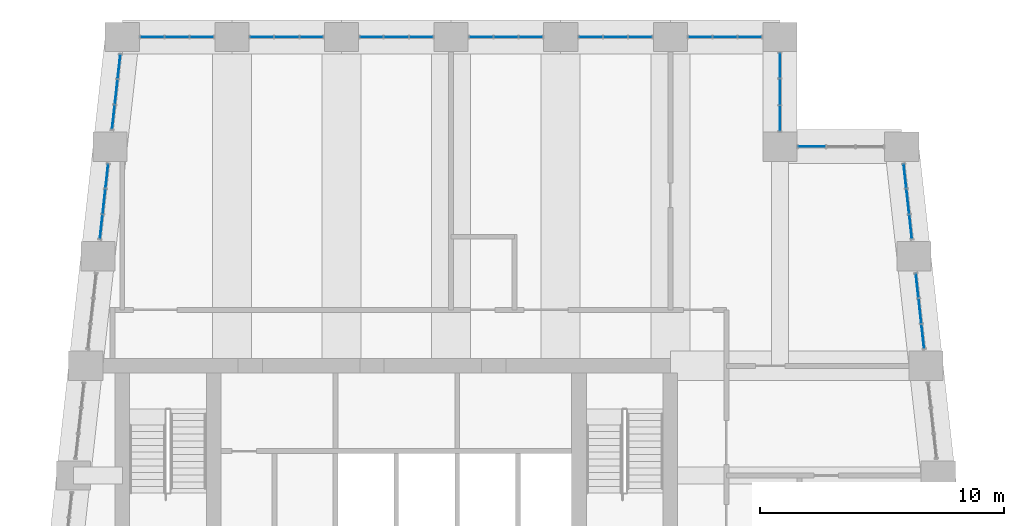
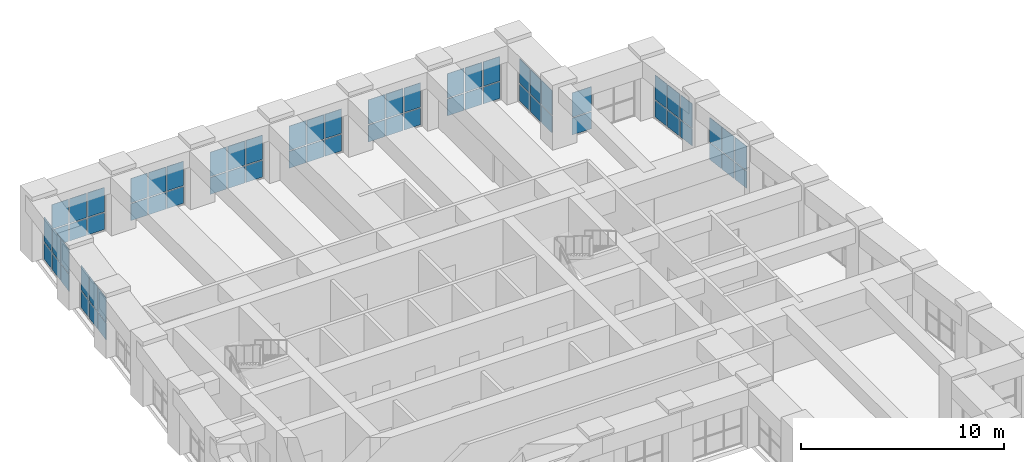
# One storey, part 14 of 18: 68 plates, 12 elements without a shape of their own.
"""IFC4 building model written with IfcOpenShell, lengths in metres."""

from ifc_helpers import new_model, si_unit, direction, frame, origin, origin_2d, place, context, subcontext, project, spatial, rectangle, extrude, material, layer, layer_set, type_object, element, aggregate, save


model = new_model("IFC4")

# Units and contexts
model_context = context("Model", 3, precision=1e-05, world=origin(), true_north=direction((0.0, 1.0)))
body_context = subcontext(model_context, "Body", "Model", "MODEL_VIEW")
ifc_project = project(units=[si_unit("LENGTHUNIT", "METRE"), si_unit("AREAUNIT", "SQUARE_METRE"), si_unit("VOLUMEUNIT", "CUBIC_METRE"), si_unit("PLANEANGLEUNIT", "RADIAN"), si_unit("MASSUNIT", "GRAM", prefix="KILO")], contexts=[model_context])

# Site, building, storey
site_placement = place(None, origin())
site = spatial("IfcSite", under=ifc_project, at=site_placement, CompositionType="ELEMENT")
building_placement = place(site_placement, origin())
building = spatial("IfcBuilding", under=site, at=building_placement, Name="Kilele Tower Hotel", CompositionType="ELEMENT")
storey_placement = place(building_placement, frame((0.0, 0.0, 281.89990234375)))
storey = spatial("IfcBuildingStorey", under=building, at=storey_placement, Name="L72", CompositionType="ELEMENT", Elevation=281.89990234375)

# Curtain wall, plates
ifc_material_1 = material(Name="Aluminium curtain wall, clear double glazing", Category="aluminium")
curtain_wall_type = type_object("IfcCurtainWallType", Name="Sky restaurant curtain wall CW-5", PredefinedType="NOTDEFINED", material=ifc_material_1)
curtain_wall_1_placement = place(storey_placement, origin())
curtain_wall_1 = element("IfcCurtainWall", 1, at=curtain_wall_1_placement, inside=storey, type_object=curtain_wall_type, Name="Sky restaurant curtain wall CW-5 L72", PredefinedType="NOTDEFINED")
ifc_material_2 = material(Name="Clear double glazing", Category="glass")
ifc_layer = layer(ifc_material_2, 0.028076171875)
ifc_layer_set = layer_set([ifc_layer], Name="Clear double glazing")
plate_type = type_object("IfcPlateType", Name="Glazed panel 28 CW-5", PredefinedType="CURTAIN_PANEL", material=ifc_layer_set)
plate_1_placement = place(storey_placement, frame((46.365478515625, 28.211181640625, 0.06005859375), z_axis=(0.0, 0.0, 1.0), x_axis=(-0.110431526007, 0.993883734681, 0.0)))
plate_1 = element("IfcPlate", 2, at=plate_1_placement, type_object=plate_type, Name="CW-5 panel 1.1", PredefinedType="CURTAIN_PANEL", context=body_context, shape_type="SweptSolid", body=[
    extrude(rectangle(XDim=0.97021484375, YDim=0.028076171875, at=origin_2d()), origin(), (0.0, 0.0, 1.0), 1.010009765625),
])
plate_2_placement = place(storey_placement, frame((46.365478515625, 28.211181640625, 1.130126953125), z_axis=(0.0, 0.0, 1.0), x_axis=(-0.110431526007, 0.993883734681, 0.0)))
plate_2 = element("IfcPlate", 3, at=plate_2_placement, type_object=plate_type, Name="CW-5 panel 1.2", PredefinedType="CURTAIN_PANEL", context=body_context, shape_type="SweptSolid", body=[
    extrude(rectangle(XDim=0.97021484375, YDim=0.028076171875, at=origin_2d()), origin(), (0.0, 0.0, 1.0), 1.4599609375),
])
plate_3_placement = place(storey_placement, frame((46.25, 29.25, 0.06005859375), z_axis=(0.0, 0.0, 1.0), x_axis=(-0.110431526007, 0.993883734681, 0.0)))
plate_3 = element("IfcPlate", 4, at=plate_3_placement, type_object=plate_type, Name="CW-5 panel 2.1", PredefinedType="CURTAIN_PANEL", context=body_context, shape_type="SweptSolid", body=[
    extrude(rectangle(XDim=1.000244140625, YDim=0.028076171875, at=origin_2d()), origin(), (0.0, 0.0, 1.0), 1.010009765625),
])
plate_4_placement = place(storey_placement, frame((46.25, 29.25, 1.130126953125), z_axis=(0.0, 0.0, 1.0), x_axis=(-0.110431526007, 0.993883734681, 0.0)))
plate_4 = element("IfcPlate", 5, at=plate_4_placement, type_object=plate_type, Name="CW-5 panel 2.2", PredefinedType="CURTAIN_PANEL", context=body_context, shape_type="SweptSolid", body=[
    extrude(rectangle(XDim=1.000244140625, YDim=0.028076171875, at=origin_2d()), origin(), (0.0, 0.0, 1.0), 1.4599609375),
])
plate_5_placement = place(storey_placement, frame((46.134521484375, 30.288818359375, 0.06005859375), z_axis=(0.0, 0.0, 1.0), x_axis=(-0.110431526007, 0.993883734681, 0.0)))
plate_5 = element("IfcPlate", 6, at=plate_5_placement, type_object=plate_type, Name="CW-5 panel 3.1", PredefinedType="CURTAIN_PANEL", context=body_context, shape_type="SweptSolid", body=[
    extrude(rectangle(XDim=0.97021484375, YDim=0.028076171875, at=origin_2d()), origin(), (0.0, 0.0, 1.0), 1.010009765625),
])
plate_6_placement = place(storey_placement, frame((46.134521484375, 30.288818359375, 1.130126953125), z_axis=(0.0, 0.0, 1.0), x_axis=(-0.110431526007, 0.993883734681, 0.0)))
plate_6 = element("IfcPlate", 7, at=plate_6_placement, type_object=plate_type, Name="CW-5 panel 3.2", PredefinedType="CURTAIN_PANEL", context=body_context, shape_type="SweptSolid", body=[
    extrude(rectangle(XDim=0.97021484375, YDim=0.028076171875, at=origin_2d()), origin(), (0.0, 0.0, 1.0), 1.4599609375),
])
aggregate(curtain_wall_1, [plate_1, plate_2, plate_3, plate_4, plate_5, plate_6])

curtain_wall_2_placement = place(storey_placement, origin())
curtain_wall_2 = element("IfcCurtainWall", 8, at=curtain_wall_2_placement, inside=storey, type_object=curtain_wall_type, Name="Sky restaurant curtain wall CW-5 L72", PredefinedType="NOTDEFINED")
plate_7_placement = place(storey_placement, frame((45.865478515625, 32.711181640625, 0.06005859375), z_axis=(0.0, 0.0, 1.0), x_axis=(-0.110431526007, 0.993883734681, 0.0)))
plate_7 = element("IfcPlate", 9, at=plate_7_placement, type_object=plate_type, Name="CW-5 panel 1.1", PredefinedType="CURTAIN_PANEL", context=body_context, shape_type="SweptSolid", body=[
    extrude(rectangle(XDim=0.97021484375, YDim=0.028076171875, at=origin_2d()), origin(), (0.0, 0.0, 1.0), 1.010009765625),
])
plate_8_placement = place(storey_placement, frame((45.865478515625, 32.711181640625, 1.130126953125), z_axis=(0.0, 0.0, 1.0), x_axis=(-0.110431526007, 0.993883734681, 0.0)))
plate_8 = element("IfcPlate", 10, at=plate_8_placement, type_object=plate_type, Name="CW-5 panel 1.2", PredefinedType="CURTAIN_PANEL", context=body_context, shape_type="SweptSolid", body=[
    extrude(rectangle(XDim=0.97021484375, YDim=0.028076171875, at=origin_2d()), origin(), (0.0, 0.0, 1.0), 1.4599609375),
])
plate_9_placement = place(storey_placement, frame((45.75, 33.75, 0.06005859375), z_axis=(0.0, 0.0, 1.0), x_axis=(-0.110431526007, 0.993883734681, 0.0)))
plate_9 = element("IfcPlate", 11, at=plate_9_placement, type_object=plate_type, Name="CW-5 panel 2.1", PredefinedType="CURTAIN_PANEL", context=body_context, shape_type="SweptSolid", body=[
    extrude(rectangle(XDim=1.000244140625, YDim=0.028076171875, at=origin_2d()), origin(), (0.0, 0.0, 1.0), 1.010009765625),
])
plate_10_placement = place(storey_placement, frame((45.75, 33.75, 1.130126953125), z_axis=(0.0, 0.0, 1.0), x_axis=(-0.110431526007, 0.993883734681, 0.0)))
plate_10 = element("IfcPlate", 12, at=plate_10_placement, type_object=plate_type, Name="CW-5 panel 2.2", PredefinedType="CURTAIN_PANEL", context=body_context, shape_type="SweptSolid", body=[
    extrude(rectangle(XDim=1.000244140625, YDim=0.028076171875, at=origin_2d()), origin(), (0.0, 0.0, 1.0), 1.4599609375),
])
plate_11_placement = place(storey_placement, frame((45.634521484375, 34.788818359375, 0.06005859375), z_axis=(0.0, 0.0, 1.0), x_axis=(-0.110431526007, 0.993883734681, 0.0)))
plate_11 = element("IfcPlate", 13, at=plate_11_placement, type_object=plate_type, Name="CW-5 panel 3.1", PredefinedType="CURTAIN_PANEL", context=body_context, shape_type="SweptSolid", body=[
    extrude(rectangle(XDim=0.97021484375, YDim=0.028076171875, at=origin_2d()), origin(), (0.0, 0.0, 1.0), 1.010009765625),
])
plate_12_placement = place(storey_placement, frame((45.634521484375, 34.788818359375, 1.130126953125), z_axis=(0.0, 0.0, 1.0), x_axis=(-0.110431526007, 0.993883734681, 0.0)))
plate_12 = element("IfcPlate", 14, at=plate_12_placement, type_object=plate_type, Name="CW-5 panel 3.2", PredefinedType="CURTAIN_PANEL", context=body_context, shape_type="SweptSolid", body=[
    extrude(rectangle(XDim=0.97021484375, YDim=0.028076171875, at=origin_2d()), origin(), (0.0, 0.0, 1.0), 1.4599609375),
])
aggregate(curtain_wall_2, [plate_7, plate_8, plate_9, plate_10, plate_11, plate_12])

curtain_wall_3_placement = place(storey_placement, origin())
curtain_wall_3 = element("IfcCurtainWall", 15, at=curtain_wall_3_placement, inside=storey, type_object=curtain_wall_type, Name="Sky restaurant curtain wall CW-5 L72", PredefinedType="NOTDEFINED")
plate_13_placement = place(storey_placement, frame((41.81494140625, 36.0, 0.06005859375), z_axis=(0.0, 0.0, 1.0), x_axis=(-1.0, 0.0, 0.0)))
plate_13 = element("IfcPlate", 16, at=plate_13_placement, type_object=plate_type, Name="CW-5 panel 3.1", PredefinedType="CURTAIN_PANEL", context=body_context, shape_type="SweptSolid", body=[
    extrude(rectangle(XDim=1.110107421875, YDim=0.028076171875, at=origin_2d()), origin(), (0.0, 0.0, 1.0), 1.010009765625),
])
plate_14_placement = place(storey_placement, frame((41.81494140625, 36.0, 1.130126953125), z_axis=(0.0, 0.0, 1.0), x_axis=(-1.0, 0.0, 0.0)))
plate_14 = element("IfcPlate", 17, at=plate_14_placement, type_object=plate_type, Name="CW-5 panel 3.2", PredefinedType="CURTAIN_PANEL", context=body_context, shape_type="SweptSolid", body=[
    extrude(rectangle(XDim=1.110107421875, YDim=0.028076171875, at=origin_2d()), origin(), (0.0, 0.0, 1.0), 1.4599609375),
])
aggregate(curtain_wall_3, [plate_13, plate_14])

curtain_wall_4_placement = place(storey_placement, origin())
curtain_wall_4 = element("IfcCurtainWall", 18, at=curtain_wall_4_placement, inside=storey, type_object=curtain_wall_type, Name="Sky restaurant curtain wall CW-5 L72", PredefinedType="NOTDEFINED")
plate_15_placement = place(storey_placement, frame((40.5, 37.1650390625, 0.06005859375), z_axis=(0.0, 0.0, 1.0), x_axis=(0.0, 1.0, 0.0)))
plate_15 = element("IfcPlate", 19, at=plate_15_placement, type_object=plate_type, Name="CW-5 panel 1.1", PredefinedType="CURTAIN_PANEL", context=body_context, shape_type="SweptSolid", body=[
    extrude(rectangle(XDim=1.010009765625, YDim=0.028076171875, at=origin_2d()), origin(), (0.0, 0.0, 1.0), 1.010009765625),
])
plate_16_placement = place(storey_placement, frame((40.5, 37.1650390625, 1.130126953125), z_axis=(0.0, 0.0, 1.0), x_axis=(0.0, 1.0, 0.0)))
plate_16 = element("IfcPlate", 20, at=plate_16_placement, type_object=plate_type, Name="CW-5 panel 1.2", PredefinedType="CURTAIN_PANEL", context=body_context, shape_type="SweptSolid", body=[
    extrude(rectangle(XDim=1.010009765625, YDim=0.028076171875, at=origin_2d()), origin(), (0.0, 0.0, 1.0), 1.4599609375),
])
plate_17_placement = place(storey_placement, frame((40.5, 38.25, 0.06005859375), z_axis=(0.0, 0.0, 1.0), x_axis=(0.0, 1.0, 0.0)))
plate_17 = element("IfcPlate", 21, at=plate_17_placement, type_object=plate_type, Name="CW-5 panel 2.1", PredefinedType="CURTAIN_PANEL", context=body_context, shape_type="SweptSolid", body=[
    extrude(rectangle(XDim=1.0400390625, YDim=0.028076171875, at=origin_2d()), origin(), (0.0, 0.0, 1.0), 1.010009765625),
])
plate_18_placement = place(storey_placement, frame((40.5, 38.25, 1.130126953125), z_axis=(0.0, 0.0, 1.0), x_axis=(0.0, 1.0, 0.0)))
plate_18 = element("IfcPlate", 22, at=plate_18_placement, type_object=plate_type, Name="CW-5 panel 2.2", PredefinedType="CURTAIN_PANEL", context=body_context, shape_type="SweptSolid", body=[
    extrude(rectangle(XDim=1.0400390625, YDim=0.028076171875, at=origin_2d()), origin(), (0.0, 0.0, 1.0), 1.4599609375),
])
plate_19_placement = place(storey_placement, frame((40.5, 39.3349609375, 0.06005859375), z_axis=(0.0, 0.0, 1.0), x_axis=(0.0, 1.0, 0.0)))
plate_19 = element("IfcPlate", 23, at=plate_19_placement, type_object=plate_type, Name="CW-5 panel 3.1", PredefinedType="CURTAIN_PANEL", context=body_context, shape_type="SweptSolid", body=[
    extrude(rectangle(XDim=1.010009765625, YDim=0.028076171875, at=origin_2d()), origin(), (0.0, 0.0, 1.0), 1.010009765625),
])
plate_20_placement = place(storey_placement, frame((40.5, 39.3349609375, 1.130126953125), z_axis=(0.0, 0.0, 1.0), x_axis=(0.0, 1.0, 0.0)))
plate_20 = element("IfcPlate", 24, at=plate_20_placement, type_object=plate_type, Name="CW-5 panel 3.2", PredefinedType="CURTAIN_PANEL", context=body_context, shape_type="SweptSolid", body=[
    extrude(rectangle(XDim=1.010009765625, YDim=0.028076171875, at=origin_2d()), origin(), (0.0, 0.0, 1.0), 1.4599609375),
])
aggregate(curtain_wall_4, [plate_15, plate_16, plate_17, plate_18, plate_19, plate_20])

curtain_wall_5_placement = place(storey_placement, origin())
curtain_wall_5 = element("IfcCurtainWall", 25, at=curtain_wall_5_placement, inside=storey, type_object=curtain_wall_type, Name="Sky restaurant curtain wall CW-5 L72", PredefinedType="NOTDEFINED")
plate_21_placement = place(storey_placement, frame((39.268310546875, 40.5, 0.06005859375), z_axis=(0.0, 0.0, 1.0), x_axis=(-1.0, 0.0, 0.0)))
plate_21 = element("IfcPlate", 26, at=plate_21_placement, type_object=plate_type, Name="CW-5 panel 1.1", PredefinedType="CURTAIN_PANEL", context=body_context, shape_type="SweptSolid", body=[
    extrude(rectangle(XDim=0.943359375, YDim=0.028076171875, at=origin_2d()), origin(), (0.0, 0.0, 1.0), 1.010009765625),
])
plate_22_placement = place(storey_placement, frame((39.268310546875, 40.5, 1.130126953125), z_axis=(0.0, 0.0, 1.0), x_axis=(-1.0, 0.0, 0.0)))
plate_22 = element("IfcPlate", 27, at=plate_22_placement, type_object=plate_type, Name="CW-5 panel 1.2", PredefinedType="CURTAIN_PANEL", context=body_context, shape_type="SweptSolid", body=[
    extrude(rectangle(XDim=0.943359375, YDim=0.028076171875, at=origin_2d()), origin(), (0.0, 0.0, 1.0), 1.4599609375),
])
plate_23_placement = place(storey_placement, frame((38.25, 40.5, 0.06005859375), z_axis=(0.0, 0.0, 1.0), x_axis=(-1.0, 0.0, 0.0)))
plate_23 = element("IfcPlate", 28, at=plate_23_placement, type_object=plate_type, Name="CW-5 panel 2.1", PredefinedType="CURTAIN_PANEL", context=body_context, shape_type="SweptSolid", body=[
    extrude(rectangle(XDim=0.973388671875, YDim=0.028076171875, at=origin_2d()), origin(), (0.0, 0.0, 1.0), 1.010009765625),
])
plate_24_placement = place(storey_placement, frame((38.25, 40.5, 1.130126953125), z_axis=(0.0, 0.0, 1.0), x_axis=(-1.0, 0.0, 0.0)))
plate_24 = element("IfcPlate", 29, at=plate_24_placement, type_object=plate_type, Name="CW-5 panel 2.2", PredefinedType="CURTAIN_PANEL", context=body_context, shape_type="SweptSolid", body=[
    extrude(rectangle(XDim=0.973388671875, YDim=0.028076171875, at=origin_2d()), origin(), (0.0, 0.0, 1.0), 1.4599609375),
])
plate_25_placement = place(storey_placement, frame((37.231689453125, 40.5, 0.06005859375), z_axis=(0.0, 0.0, 1.0), x_axis=(-1.0, 0.0, 0.0)))
plate_25 = element("IfcPlate", 30, at=plate_25_placement, type_object=plate_type, Name="CW-5 panel 3.1", PredefinedType="CURTAIN_PANEL", context=body_context, shape_type="SweptSolid", body=[
    extrude(rectangle(XDim=0.943359375, YDim=0.028076171875, at=origin_2d()), origin(), (0.0, 0.0, 1.0), 1.010009765625),
])
plate_26_placement = place(storey_placement, frame((37.231689453125, 40.5, 1.130126953125), z_axis=(0.0, 0.0, 1.0), x_axis=(-1.0, 0.0, 0.0)))
plate_26 = element("IfcPlate", 31, at=plate_26_placement, type_object=plate_type, Name="CW-5 panel 3.2", PredefinedType="CURTAIN_PANEL", context=body_context, shape_type="SweptSolid", body=[
    extrude(rectangle(XDim=0.943359375, YDim=0.028076171875, at=origin_2d()), origin(), (0.0, 0.0, 1.0), 1.4599609375),
])
aggregate(curtain_wall_5, [plate_21, plate_22, plate_23, plate_24, plate_25, plate_26])

curtain_wall_6_placement = place(storey_placement, origin())
curtain_wall_6 = element("IfcCurtainWall", 32, at=curtain_wall_6_placement, inside=storey, type_object=curtain_wall_type, Name="Sky restaurant curtain wall CW-5 L72", PredefinedType="NOTDEFINED")
plate_27_placement = place(storey_placement, frame((34.768310546875, 40.5, 0.06005859375), z_axis=(0.0, 0.0, 1.0), x_axis=(-1.0, 0.0, 0.0)))
plate_27 = element("IfcPlate", 33, at=plate_27_placement, type_object=plate_type, Name="CW-5 panel 1.1", PredefinedType="CURTAIN_PANEL", context=body_context, shape_type="SweptSolid", body=[
    extrude(rectangle(XDim=0.943359375, YDim=0.028076171875, at=origin_2d()), origin(), (0.0, 0.0, 1.0), 1.010009765625),
])
plate_28_placement = place(storey_placement, frame((34.768310546875, 40.5, 1.130126953125), z_axis=(0.0, 0.0, 1.0), x_axis=(-1.0, 0.0, 0.0)))
plate_28 = element("IfcPlate", 34, at=plate_28_placement, type_object=plate_type, Name="CW-5 panel 1.2", PredefinedType="CURTAIN_PANEL", context=body_context, shape_type="SweptSolid", body=[
    extrude(rectangle(XDim=0.943359375, YDim=0.028076171875, at=origin_2d()), origin(), (0.0, 0.0, 1.0), 1.4599609375),
])
plate_29_placement = place(storey_placement, frame((33.75, 40.5, 0.06005859375), z_axis=(0.0, 0.0, 1.0), x_axis=(-1.0, 0.0, 0.0)))
plate_29 = element("IfcPlate", 35, at=plate_29_placement, type_object=plate_type, Name="CW-5 panel 2.1", PredefinedType="CURTAIN_PANEL", context=body_context, shape_type="SweptSolid", body=[
    extrude(rectangle(XDim=0.973388671875, YDim=0.028076171875, at=origin_2d()), origin(), (0.0, 0.0, 1.0), 1.010009765625),
])
plate_30_placement = place(storey_placement, frame((33.75, 40.5, 1.130126953125), z_axis=(0.0, 0.0, 1.0), x_axis=(-1.0, 0.0, 0.0)))
plate_30 = element("IfcPlate", 36, at=plate_30_placement, type_object=plate_type, Name="CW-5 panel 2.2", PredefinedType="CURTAIN_PANEL", context=body_context, shape_type="SweptSolid", body=[
    extrude(rectangle(XDim=0.973388671875, YDim=0.028076171875, at=origin_2d()), origin(), (0.0, 0.0, 1.0), 1.4599609375),
])
plate_31_placement = place(storey_placement, frame((32.731689453125, 40.5, 0.06005859375), z_axis=(0.0, 0.0, 1.0), x_axis=(-1.0, 0.0, 0.0)))
plate_31 = element("IfcPlate", 37, at=plate_31_placement, type_object=plate_type, Name="CW-5 panel 3.1", PredefinedType="CURTAIN_PANEL", context=body_context, shape_type="SweptSolid", body=[
    extrude(rectangle(XDim=0.943359375, YDim=0.028076171875, at=origin_2d()), origin(), (0.0, 0.0, 1.0), 1.010009765625),
])
plate_32_placement = place(storey_placement, frame((32.731689453125, 40.5, 1.130126953125), z_axis=(0.0, 0.0, 1.0), x_axis=(-1.0, 0.0, 0.0)))
plate_32 = element("IfcPlate", 38, at=plate_32_placement, type_object=plate_type, Name="CW-5 panel 3.2", PredefinedType="CURTAIN_PANEL", context=body_context, shape_type="SweptSolid", body=[
    extrude(rectangle(XDim=0.943359375, YDim=0.028076171875, at=origin_2d()), origin(), (0.0, 0.0, 1.0), 1.4599609375),
])
aggregate(curtain_wall_6, [plate_27, plate_28, plate_29, plate_30, plate_31, plate_32])

curtain_wall_7_placement = place(storey_placement, origin())
curtain_wall_7 = element("IfcCurtainWall", 39, at=curtain_wall_7_placement, inside=storey, type_object=curtain_wall_type, Name="Sky restaurant curtain wall CW-5 L72", PredefinedType="NOTDEFINED")
plate_33_placement = place(storey_placement, frame((30.268310546875, 40.5, 0.06005859375), z_axis=(0.0, 0.0, 1.0), x_axis=(-1.0, 0.0, 0.0)))
plate_33 = element("IfcPlate", 40, at=plate_33_placement, type_object=plate_type, Name="CW-5 panel 1.1", PredefinedType="CURTAIN_PANEL", context=body_context, shape_type="SweptSolid", body=[
    extrude(rectangle(XDim=0.943359375, YDim=0.028076171875, at=origin_2d()), origin(), (0.0, 0.0, 1.0), 1.010009765625),
])
plate_34_placement = place(storey_placement, frame((30.268310546875, 40.5, 1.130126953125), z_axis=(0.0, 0.0, 1.0), x_axis=(-1.0, 0.0, 0.0)))
plate_34 = element("IfcPlate", 41, at=plate_34_placement, type_object=plate_type, Name="CW-5 panel 1.2", PredefinedType="CURTAIN_PANEL", context=body_context, shape_type="SweptSolid", body=[
    extrude(rectangle(XDim=0.943359375, YDim=0.028076171875, at=origin_2d()), origin(), (0.0, 0.0, 1.0), 1.4599609375),
])
plate_35_placement = place(storey_placement, frame((29.25, 40.5, 0.06005859375), z_axis=(0.0, 0.0, 1.0), x_axis=(-1.0, 0.0, 0.0)))
plate_35 = element("IfcPlate", 42, at=plate_35_placement, type_object=plate_type, Name="CW-5 panel 2.1", PredefinedType="CURTAIN_PANEL", context=body_context, shape_type="SweptSolid", body=[
    extrude(rectangle(XDim=0.973388671875, YDim=0.028076171875, at=origin_2d()), origin(), (0.0, 0.0, 1.0), 1.010009765625),
])
plate_36_placement = place(storey_placement, frame((29.25, 40.5, 1.130126953125), z_axis=(0.0, 0.0, 1.0), x_axis=(-1.0, 0.0, 0.0)))
plate_36 = element("IfcPlate", 43, at=plate_36_placement, type_object=plate_type, Name="CW-5 panel 2.2", PredefinedType="CURTAIN_PANEL", context=body_context, shape_type="SweptSolid", body=[
    extrude(rectangle(XDim=0.973388671875, YDim=0.028076171875, at=origin_2d()), origin(), (0.0, 0.0, 1.0), 1.4599609375),
])
plate_37_placement = place(storey_placement, frame((28.231689453125, 40.5, 0.06005859375), z_axis=(0.0, 0.0, 1.0), x_axis=(-1.0, 0.0, 0.0)))
plate_37 = element("IfcPlate", 44, at=plate_37_placement, type_object=plate_type, Name="CW-5 panel 3.1", PredefinedType="CURTAIN_PANEL", context=body_context, shape_type="SweptSolid", body=[
    extrude(rectangle(XDim=0.943359375, YDim=0.028076171875, at=origin_2d()), origin(), (0.0, 0.0, 1.0), 1.010009765625),
])
plate_38_placement = place(storey_placement, frame((28.231689453125, 40.5, 1.130126953125), z_axis=(0.0, 0.0, 1.0), x_axis=(-1.0, 0.0, 0.0)))
plate_38 = element("IfcPlate", 45, at=plate_38_placement, type_object=plate_type, Name="CW-5 panel 3.2", PredefinedType="CURTAIN_PANEL", context=body_context, shape_type="SweptSolid", body=[
    extrude(rectangle(XDim=0.943359375, YDim=0.028076171875, at=origin_2d()), origin(), (0.0, 0.0, 1.0), 1.4599609375),
])
aggregate(curtain_wall_7, [plate_33, plate_34, plate_35, plate_36, plate_37, plate_38])

curtain_wall_8_placement = place(storey_placement, origin())
curtain_wall_8 = element("IfcCurtainWall", 46, at=curtain_wall_8_placement, inside=storey, type_object=curtain_wall_type, Name="Sky restaurant curtain wall CW-5 L72", PredefinedType="NOTDEFINED")
plate_39_placement = place(storey_placement, frame((25.768310546875, 40.5, 0.06005859375), z_axis=(0.0, 0.0, 1.0), x_axis=(-1.0, 0.0, 0.0)))
plate_39 = element("IfcPlate", 47, at=plate_39_placement, type_object=plate_type, Name="CW-5 panel 1.1", PredefinedType="CURTAIN_PANEL", context=body_context, shape_type="SweptSolid", body=[
    extrude(rectangle(XDim=0.943359375, YDim=0.028076171875, at=origin_2d()), origin(), (0.0, 0.0, 1.0), 1.010009765625),
])
plate_40_placement = place(storey_placement, frame((25.768310546875, 40.5, 1.130126953125), z_axis=(0.0, 0.0, 1.0), x_axis=(-1.0, 0.0, 0.0)))
plate_40 = element("IfcPlate", 48, at=plate_40_placement, type_object=plate_type, Name="CW-5 panel 1.2", PredefinedType="CURTAIN_PANEL", context=body_context, shape_type="SweptSolid", body=[
    extrude(rectangle(XDim=0.943359375, YDim=0.028076171875, at=origin_2d()), origin(), (0.0, 0.0, 1.0), 1.4599609375),
])
plate_41_placement = place(storey_placement, frame((24.75, 40.5, 0.06005859375), z_axis=(0.0, 0.0, 1.0), x_axis=(-1.0, 0.0, 0.0)))
plate_41 = element("IfcPlate", 49, at=plate_41_placement, type_object=plate_type, Name="CW-5 panel 2.1", PredefinedType="CURTAIN_PANEL", context=body_context, shape_type="SweptSolid", body=[
    extrude(rectangle(XDim=0.973388671875, YDim=0.028076171875, at=origin_2d()), origin(), (0.0, 0.0, 1.0), 1.010009765625),
])
plate_42_placement = place(storey_placement, frame((24.75, 40.5, 1.130126953125), z_axis=(0.0, 0.0, 1.0), x_axis=(-1.0, 0.0, 0.0)))
plate_42 = element("IfcPlate", 50, at=plate_42_placement, type_object=plate_type, Name="CW-5 panel 2.2", PredefinedType="CURTAIN_PANEL", context=body_context, shape_type="SweptSolid", body=[
    extrude(rectangle(XDim=0.973388671875, YDim=0.028076171875, at=origin_2d()), origin(), (0.0, 0.0, 1.0), 1.4599609375),
])
plate_43_placement = place(storey_placement, frame((23.731689453125, 40.5, 0.06005859375), z_axis=(0.0, 0.0, 1.0), x_axis=(-1.0, 0.0, 0.0)))
plate_43 = element("IfcPlate", 51, at=plate_43_placement, type_object=plate_type, Name="CW-5 panel 3.1", PredefinedType="CURTAIN_PANEL", context=body_context, shape_type="SweptSolid", body=[
    extrude(rectangle(XDim=0.943359375, YDim=0.028076171875, at=origin_2d()), origin(), (0.0, 0.0, 1.0), 1.010009765625),
])
plate_44_placement = place(storey_placement, frame((23.731689453125, 40.5, 1.130126953125), z_axis=(0.0, 0.0, 1.0), x_axis=(-1.0, 0.0, 0.0)))
plate_44 = element("IfcPlate", 52, at=plate_44_placement, type_object=plate_type, Name="CW-5 panel 3.2", PredefinedType="CURTAIN_PANEL", context=body_context, shape_type="SweptSolid", body=[
    extrude(rectangle(XDim=0.943359375, YDim=0.028076171875, at=origin_2d()), origin(), (0.0, 0.0, 1.0), 1.4599609375),
])
aggregate(curtain_wall_8, [plate_39, plate_40, plate_41, plate_42, plate_43, plate_44])

curtain_wall_9_placement = place(storey_placement, origin())
curtain_wall_9 = element("IfcCurtainWall", 53, at=curtain_wall_9_placement, inside=storey, type_object=curtain_wall_type, Name="Sky restaurant curtain wall CW-5 L72", PredefinedType="NOTDEFINED")
plate_45_placement = place(storey_placement, frame((21.268310546875, 40.5, 0.06005859375), z_axis=(0.0, 0.0, 1.0), x_axis=(-1.0, 0.0, 0.0)))
plate_45 = element("IfcPlate", 54, at=plate_45_placement, type_object=plate_type, Name="CW-5 panel 1.1", PredefinedType="CURTAIN_PANEL", context=body_context, shape_type="SweptSolid", body=[
    extrude(rectangle(XDim=0.943359375, YDim=0.028076171875, at=origin_2d()), origin(), (0.0, 0.0, 1.0), 1.010009765625),
])
plate_46_placement = place(storey_placement, frame((21.268310546875, 40.5, 1.130126953125), z_axis=(0.0, 0.0, 1.0), x_axis=(-1.0, 0.0, 0.0)))
plate_46 = element("IfcPlate", 55, at=plate_46_placement, type_object=plate_type, Name="CW-5 panel 1.2", PredefinedType="CURTAIN_PANEL", context=body_context, shape_type="SweptSolid", body=[
    extrude(rectangle(XDim=0.943359375, YDim=0.028076171875, at=origin_2d()), origin(), (0.0, 0.0, 1.0), 1.4599609375),
])
plate_47_placement = place(storey_placement, frame((20.25, 40.5, 0.06005859375), z_axis=(0.0, 0.0, 1.0), x_axis=(-1.0, 0.0, 0.0)))
plate_47 = element("IfcPlate", 56, at=plate_47_placement, type_object=plate_type, Name="CW-5 panel 2.1", PredefinedType="CURTAIN_PANEL", context=body_context, shape_type="SweptSolid", body=[
    extrude(rectangle(XDim=0.973388671875, YDim=0.028076171875, at=origin_2d()), origin(), (0.0, 0.0, 1.0), 1.010009765625),
])
plate_48_placement = place(storey_placement, frame((20.25, 40.5, 1.130126953125), z_axis=(0.0, 0.0, 1.0), x_axis=(-1.0, 0.0, 0.0)))
plate_48 = element("IfcPlate", 57, at=plate_48_placement, type_object=plate_type, Name="CW-5 panel 2.2", PredefinedType="CURTAIN_PANEL", context=body_context, shape_type="SweptSolid", body=[
    extrude(rectangle(XDim=0.973388671875, YDim=0.028076171875, at=origin_2d()), origin(), (0.0, 0.0, 1.0), 1.4599609375),
])
plate_49_placement = place(storey_placement, frame((19.231689453125, 40.5, 0.06005859375), z_axis=(0.0, 0.0, 1.0), x_axis=(-1.0, 0.0, 0.0)))
plate_49 = element("IfcPlate", 58, at=plate_49_placement, type_object=plate_type, Name="CW-5 panel 3.1", PredefinedType="CURTAIN_PANEL", context=body_context, shape_type="SweptSolid", body=[
    extrude(rectangle(XDim=0.943359375, YDim=0.028076171875, at=origin_2d()), origin(), (0.0, 0.0, 1.0), 1.010009765625),
])
plate_50_placement = place(storey_placement, frame((19.231689453125, 40.5, 1.130126953125), z_axis=(0.0, 0.0, 1.0), x_axis=(-1.0, 0.0, 0.0)))
plate_50 = element("IfcPlate", 59, at=plate_50_placement, type_object=plate_type, Name="CW-5 panel 3.2", PredefinedType="CURTAIN_PANEL", context=body_context, shape_type="SweptSolid", body=[
    extrude(rectangle(XDim=0.943359375, YDim=0.028076171875, at=origin_2d()), origin(), (0.0, 0.0, 1.0), 1.4599609375),
])
aggregate(curtain_wall_9, [plate_45, plate_46, plate_47, plate_48, plate_49, plate_50])

curtain_wall_10_placement = place(storey_placement, origin())
curtain_wall_10 = element("IfcCurtainWall", 60, at=curtain_wall_10_placement, inside=storey, type_object=curtain_wall_type, Name="Sky restaurant curtain wall CW-5 L72", PredefinedType="NOTDEFINED")
plate_51_placement = place(storey_placement, frame((16.768310546875, 40.5, 0.06005859375), z_axis=(0.0, 0.0, 1.0), x_axis=(-1.0, 0.0, 0.0)))
plate_51 = element("IfcPlate", 61, at=plate_51_placement, type_object=plate_type, Name="CW-5 panel 1.1", PredefinedType="CURTAIN_PANEL", context=body_context, shape_type="SweptSolid", body=[
    extrude(rectangle(XDim=0.943359375, YDim=0.028076171875, at=origin_2d()), origin(), (0.0, 0.0, 1.0), 1.010009765625),
])
plate_52_placement = place(storey_placement, frame((16.768310546875, 40.5, 1.130126953125), z_axis=(0.0, 0.0, 1.0), x_axis=(-1.0, 0.0, 0.0)))
plate_52 = element("IfcPlate", 62, at=plate_52_placement, type_object=plate_type, Name="CW-5 panel 1.2", PredefinedType="CURTAIN_PANEL", context=body_context, shape_type="SweptSolid", body=[
    extrude(rectangle(XDim=0.943359375, YDim=0.028076171875, at=origin_2d()), origin(), (0.0, 0.0, 1.0), 1.4599609375),
])
plate_53_placement = place(storey_placement, frame((15.75, 40.5, 0.06005859375), z_axis=(0.0, 0.0, 1.0), x_axis=(-1.0, 0.0, 0.0)))
plate_53 = element("IfcPlate", 63, at=plate_53_placement, type_object=plate_type, Name="CW-5 panel 2.1", PredefinedType="CURTAIN_PANEL", context=body_context, shape_type="SweptSolid", body=[
    extrude(rectangle(XDim=0.973388671875, YDim=0.028076171875, at=origin_2d()), origin(), (0.0, 0.0, 1.0), 1.010009765625),
])
plate_54_placement = place(storey_placement, frame((15.75, 40.5, 1.130126953125), z_axis=(0.0, 0.0, 1.0), x_axis=(-1.0, 0.0, 0.0)))
plate_54 = element("IfcPlate", 64, at=plate_54_placement, type_object=plate_type, Name="CW-5 panel 2.2", PredefinedType="CURTAIN_PANEL", context=body_context, shape_type="SweptSolid", body=[
    extrude(rectangle(XDim=0.973388671875, YDim=0.028076171875, at=origin_2d()), origin(), (0.0, 0.0, 1.0), 1.4599609375),
])
plate_55_placement = place(storey_placement, frame((14.731689453125, 40.5, 0.06005859375), z_axis=(0.0, 0.0, 1.0), x_axis=(-1.0, 0.0, 0.0)))
plate_55 = element("IfcPlate", 65, at=plate_55_placement, type_object=plate_type, Name="CW-5 panel 3.1", PredefinedType="CURTAIN_PANEL", context=body_context, shape_type="SweptSolid", body=[
    extrude(rectangle(XDim=0.943359375, YDim=0.028076171875, at=origin_2d()), origin(), (0.0, 0.0, 1.0), 1.010009765625),
])
plate_56_placement = place(storey_placement, frame((14.731689453125, 40.5, 1.130126953125), z_axis=(0.0, 0.0, 1.0), x_axis=(-1.0, 0.0, 0.0)))
plate_56 = element("IfcPlate", 66, at=plate_56_placement, type_object=plate_type, Name="CW-5 panel 3.2", PredefinedType="CURTAIN_PANEL", context=body_context, shape_type="SweptSolid", body=[
    extrude(rectangle(XDim=0.943359375, YDim=0.028076171875, at=origin_2d()), origin(), (0.0, 0.0, 1.0), 1.4599609375),
])
aggregate(curtain_wall_10, [plate_51, plate_52, plate_53, plate_54, plate_55, plate_56])

curtain_wall_11_placement = place(storey_placement, origin())
curtain_wall_11 = element("IfcCurtainWall", 67, at=curtain_wall_11_placement, inside=storey, type_object=curtain_wall_type, Name="Sky restaurant curtain wall CW-5 L72", PredefinedType="NOTDEFINED")
plate_57_placement = place(storey_placement, frame((13.365478515625, 39.288818359375, 0.06005859375), z_axis=(0.0, 0.0, 1.0), x_axis=(-0.110431526007, -0.993883734681, 0.0)))
plate_57 = element("IfcPlate", 68, at=plate_57_placement, type_object=plate_type, Name="CW-5 panel 1.1", PredefinedType="CURTAIN_PANEL", context=body_context, shape_type="SweptSolid", body=[
    extrude(rectangle(XDim=0.97021484375, YDim=0.028076171875, at=origin_2d()), origin(), (0.0, 0.0, 1.0), 1.010009765625),
])
plate_58_placement = place(storey_placement, frame((13.365478515625, 39.288818359375, 1.130126953125), z_axis=(0.0, 0.0, 1.0), x_axis=(-0.110431526007, -0.993883734681, 0.0)))
plate_58 = element("IfcPlate", 69, at=plate_58_placement, type_object=plate_type, Name="CW-5 panel 1.2", PredefinedType="CURTAIN_PANEL", context=body_context, shape_type="SweptSolid", body=[
    extrude(rectangle(XDim=0.97021484375, YDim=0.028076171875, at=origin_2d()), origin(), (0.0, 0.0, 1.0), 1.4599609375),
])
plate_59_placement = place(storey_placement, frame((13.25, 38.25, 0.06005859375), z_axis=(0.0, 0.0, 1.0), x_axis=(-0.110431526007, -0.993883734681, 0.0)))
plate_59 = element("IfcPlate", 70, at=plate_59_placement, type_object=plate_type, Name="CW-5 panel 2.1", PredefinedType="CURTAIN_PANEL", context=body_context, shape_type="SweptSolid", body=[
    extrude(rectangle(XDim=1.000244140625, YDim=0.028076171875, at=origin_2d()), origin(), (0.0, 0.0, 1.0), 1.010009765625),
])
plate_60_placement = place(storey_placement, frame((13.25, 38.25, 1.130126953125), z_axis=(0.0, 0.0, 1.0), x_axis=(-0.110431526007, -0.993883734681, 0.0)))
plate_60 = element("IfcPlate", 71, at=plate_60_placement, type_object=plate_type, Name="CW-5 panel 2.2", PredefinedType="CURTAIN_PANEL", context=body_context, shape_type="SweptSolid", body=[
    extrude(rectangle(XDim=1.000244140625, YDim=0.028076171875, at=origin_2d()), origin(), (0.0, 0.0, 1.0), 1.4599609375),
])
plate_61_placement = place(storey_placement, frame((13.134521484375, 37.211181640625, 0.06005859375), z_axis=(0.0, 0.0, 1.0), x_axis=(-0.110431526007, -0.993883734681, 0.0)))
plate_61 = element("IfcPlate", 72, at=plate_61_placement, type_object=plate_type, Name="CW-5 panel 3.1", PredefinedType="CURTAIN_PANEL", context=body_context, shape_type="SweptSolid", body=[
    extrude(rectangle(XDim=0.97021484375, YDim=0.028076171875, at=origin_2d()), origin(), (0.0, 0.0, 1.0), 1.010009765625),
])
plate_62_placement = place(storey_placement, frame((13.134521484375, 37.211181640625, 1.130126953125), z_axis=(0.0, 0.0, 1.0), x_axis=(-0.110431526007, -0.993883734681, 0.0)))
plate_62 = element("IfcPlate", 73, at=plate_62_placement, type_object=plate_type, Name="CW-5 panel 3.2", PredefinedType="CURTAIN_PANEL", context=body_context, shape_type="SweptSolid", body=[
    extrude(rectangle(XDim=0.97021484375, YDim=0.028076171875, at=origin_2d()), origin(), (0.0, 0.0, 1.0), 1.4599609375),
])
aggregate(curtain_wall_11, [plate_57, plate_58, plate_59, plate_60, plate_61, plate_62])

curtain_wall_12_placement = place(storey_placement, origin())
curtain_wall_12 = element("IfcCurtainWall", 74, at=curtain_wall_12_placement, inside=storey, type_object=curtain_wall_type, Name="Sky restaurant curtain wall CW-5 L72", PredefinedType="NOTDEFINED")
plate_63_placement = place(storey_placement, frame((12.865478515625, 34.788818359375, 0.06005859375), z_axis=(0.0, 0.0, 1.0), x_axis=(-0.110431526007, -0.993883734681, 0.0)))
plate_63 = element("IfcPlate", 75, at=plate_63_placement, type_object=plate_type, Name="CW-5 panel 1.1", PredefinedType="CURTAIN_PANEL", context=body_context, shape_type="SweptSolid", body=[
    extrude(rectangle(XDim=0.97021484375, YDim=0.028076171875, at=origin_2d()), origin(), (0.0, 0.0, 1.0), 1.010009765625),
])
plate_64_placement = place(storey_placement, frame((12.865478515625, 34.788818359375, 1.130126953125), z_axis=(0.0, 0.0, 1.0), x_axis=(-0.110431526007, -0.993883734681, 0.0)))
plate_64 = element("IfcPlate", 76, at=plate_64_placement, type_object=plate_type, Name="CW-5 panel 1.2", PredefinedType="CURTAIN_PANEL", context=body_context, shape_type="SweptSolid", body=[
    extrude(rectangle(XDim=0.97021484375, YDim=0.028076171875, at=origin_2d()), origin(), (0.0, 0.0, 1.0), 1.4599609375),
])
plate_65_placement = place(storey_placement, frame((12.75, 33.75, 0.06005859375), z_axis=(0.0, 0.0, 1.0), x_axis=(-0.110431526007, -0.993883734681, 0.0)))
plate_65 = element("IfcPlate", 77, at=plate_65_placement, type_object=plate_type, Name="CW-5 panel 2.1", PredefinedType="CURTAIN_PANEL", context=body_context, shape_type="SweptSolid", body=[
    extrude(rectangle(XDim=1.000244140625, YDim=0.028076171875, at=origin_2d()), origin(), (0.0, 0.0, 1.0), 1.010009765625),
])
plate_66_placement = place(storey_placement, frame((12.75, 33.75, 1.130126953125), z_axis=(0.0, 0.0, 1.0), x_axis=(-0.110431526007, -0.993883734681, 0.0)))
plate_66 = element("IfcPlate", 78, at=plate_66_placement, type_object=plate_type, Name="CW-5 panel 2.2", PredefinedType="CURTAIN_PANEL", context=body_context, shape_type="SweptSolid", body=[
    extrude(rectangle(XDim=1.000244140625, YDim=0.028076171875, at=origin_2d()), origin(), (0.0, 0.0, 1.0), 1.4599609375),
])
plate_67_placement = place(storey_placement, frame((12.634521484375, 32.711181640625, 0.06005859375), z_axis=(0.0, 0.0, 1.0), x_axis=(-0.110431526007, -0.993883734681, 0.0)))
plate_67 = element("IfcPlate", 79, at=plate_67_placement, type_object=plate_type, Name="CW-5 panel 3.1", PredefinedType="CURTAIN_PANEL", context=body_context, shape_type="SweptSolid", body=[
    extrude(rectangle(XDim=0.97021484375, YDim=0.028076171875, at=origin_2d()), origin(), (0.0, 0.0, 1.0), 1.010009765625),
])
plate_68_placement = place(storey_placement, frame((12.634521484375, 32.711181640625, 1.130126953125), z_axis=(0.0, 0.0, 1.0), x_axis=(-0.110431526007, -0.993883734681, 0.0)))
plate_68 = element("IfcPlate", 80, at=plate_68_placement, type_object=plate_type, Name="CW-5 panel 3.2", PredefinedType="CURTAIN_PANEL", context=body_context, shape_type="SweptSolid", body=[
    extrude(rectangle(XDim=0.97021484375, YDim=0.028076171875, at=origin_2d()), origin(), (0.0, 0.0, 1.0), 1.4599609375),
])
aggregate(curtain_wall_12, [plate_63, plate_64, plate_65, plate_66, plate_67, plate_68])

save(model, "model.ifc")
